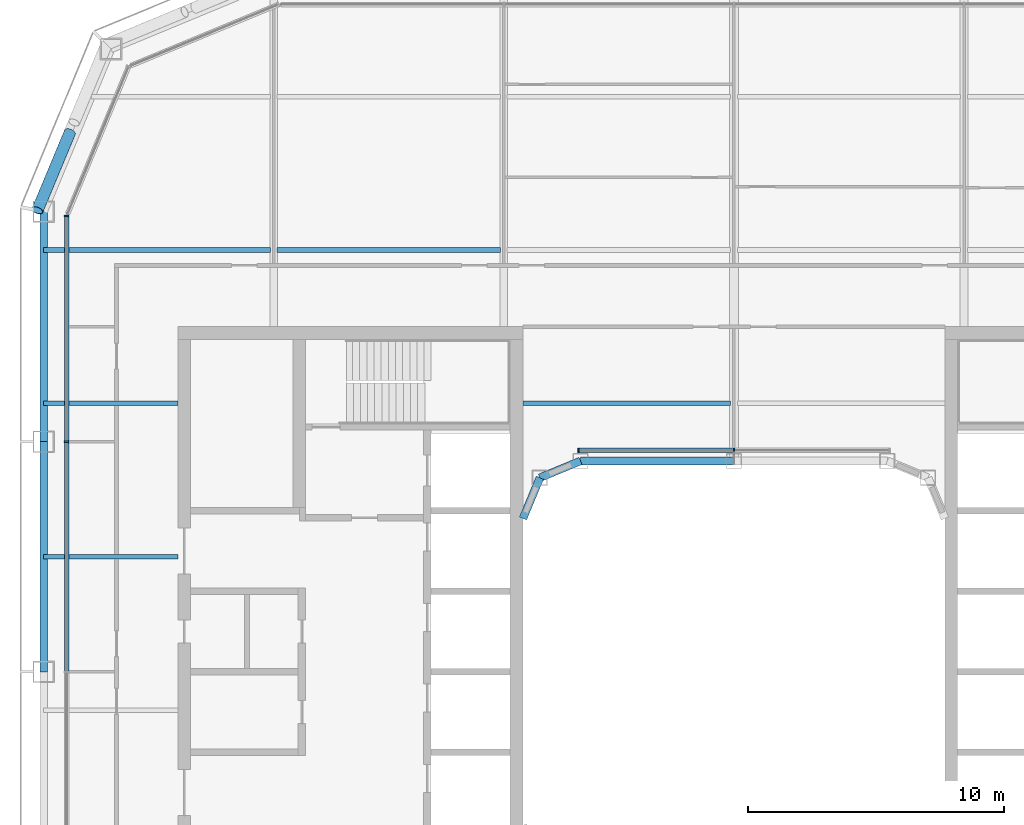
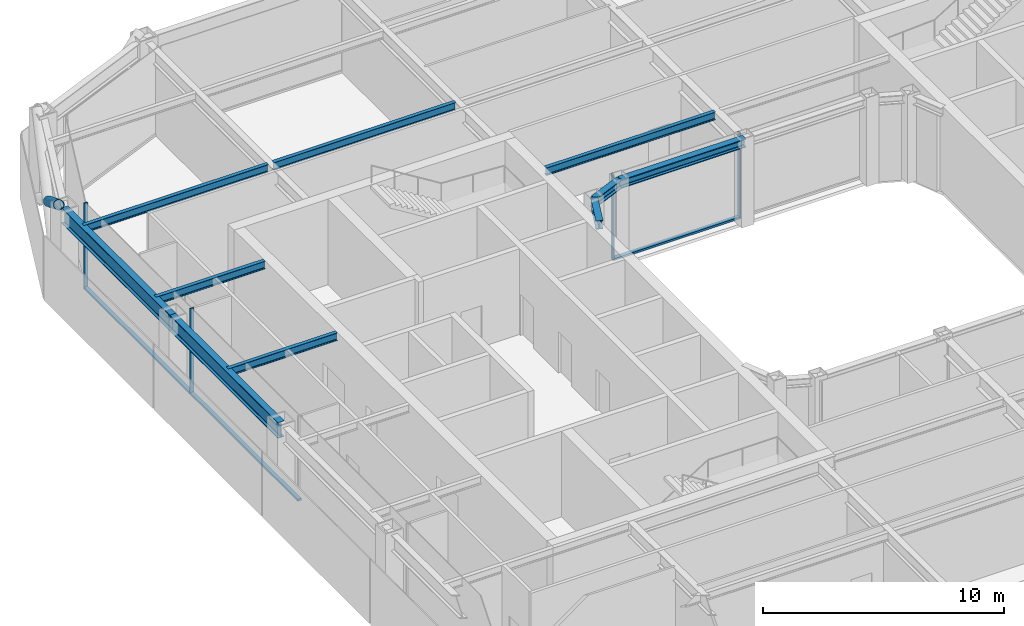
# One storey, part 6 of 23: 10 beams, 8 members, 2 elements without a shape of their own.
"""IFC4 building model written with IfcOpenShell, lengths in metres."""

from ifc_helpers import new_model, si_unit, direction, frame, origin, origin_2d, place, context, subcontext, project, spatial, rectangle, hollow_circle, i_section, extrude, material, layer, layer_set, material_profile, profile_set, type_object, element, aggregate, save


model = new_model("IFC4")

# Units and contexts
model_context = context("Model", 3, precision=1e-05, world=origin(), true_north=direction((0.0, 1.0)))
body_context = subcontext(model_context, "Body", "Model", "MODEL_VIEW")
ifc_project = project(units=[si_unit("LENGTHUNIT", "METRE"), si_unit("AREAUNIT", "SQUARE_METRE"), si_unit("VOLUMEUNIT", "CUBIC_METRE"), si_unit("PLANEANGLEUNIT", "RADIAN"), si_unit("MASSUNIT", "GRAM", prefix="KILO")], contexts=[model_context])

# Site, building, storey
site_placement = place(None, origin())
site = spatial("IfcSite", under=ifc_project, at=site_placement, CompositionType="ELEMENT")
building_placement = place(site_placement, origin())
building = spatial("IfcBuilding", under=site, at=building_placement, Name="Siwar Civic Tower", CompositionType="ELEMENT")
storey_placement = place(building_placement, frame((0.0, 0.0, 206.199951171875)))
storey = spatial("IfcBuildingStorey", under=building, at=storey_placement, Name="L44", CompositionType="ELEMENT", Elevation=206.199951171875)

# Curtain wall, members
ifc_material_1 = material(Name="Aluminium and glass", Category="aluminium")
ifc_layer_1 = layer(ifc_material_1, 0.179931640625)
ifc_layer_set_1 = layer_set([ifc_layer_1], Name="Aluminium and glass")
curtain_wall_type_1 = type_object("IfcCurtainWallType", Name="ENV-CW-C", PredefinedType="NOTDEFINED", material=ifc_layer_set_1)
curtain_wall_1_placement = place(storey_placement, origin())
curtain_wall_1 = element("IfcCurtainWall", 1, at=curtain_wall_1_placement, inside=storey, type_object=curtain_wall_type_1, Name="Curtain wall C W", PredefinedType="NOTDEFINED")
ifc_material_2 = material(Name="Aluminium 6063-T6", Category="aluminium")
ifc_material_profile_1 = material_profile(ifc_material_2, rectangle(XDim=0.179931640625, YDim=0.06005859375, at=origin_2d()), Name="AL 180x60")
ifc_profile_set_1 = profile_set([ifc_material_profile_1], Name="Aluminium 6063-T6")
member_type_1 = type_object("IfcMemberType", Name="ENV-MULLION-C", PredefinedType="MULLION", material=ifc_profile_set_1)
member_1_placement = place(storey_placement, frame((-26.10009765625, 17.821044921875, 0.0), z_axis=(0.0, 0.0, 1.0), x_axis=(1.0, 0.0, 0.0)))
member_1 = element("IfcMember", 2, at=member_1_placement, type_object=member_type_1, Name="Mullion C W 1", PredefinedType="MULLION", context=body_context, shape_type="SweptSolid", body=[
    extrude(rectangle(XDim=0.179931640625, YDim=0.06005859375, at=origin_2d()), origin(), (0.0, 0.0, 1.0), 4.35009765625),
])
member_2_placement = place(storey_placement, frame((-26.10009765625, 9.0, 0.0), z_axis=(0.0, 0.0, 1.0), x_axis=(1.0, 0.0, 0.0)))
member_2 = element("IfcMember", 3, at=member_2_placement, type_object=member_type_1, Name="Mullion C W 2", PredefinedType="MULLION", context=body_context, shape_type="SweptSolid", body=[
    extrude(rectangle(XDim=0.179931640625, YDim=0.06005859375, at=origin_2d()), origin(), (0.0, 0.0, 1.0), 4.35009765625),
])

ifc_material_3 = material(Name="Aluminium and glass", Category="aluminium")
ifc_layer_2 = layer(ifc_material_3, 0.179931640625)
ifc_layer_set_2 = layer_set([ifc_layer_2], Name="Aluminium and glass")
curtain_wall_type_2 = type_object("IfcCurtainWallType", Name="ENV-CW-W", PredefinedType="NOTDEFINED", material=ifc_layer_set_2)
curtain_wall_2_placement = place(storey_placement, origin())
curtain_wall_2 = element("IfcCurtainWall", 4, at=curtain_wall_2_placement, inside=storey, type_object=curtain_wall_type_2, Name="Curtain wall W WN", PredefinedType="NOTDEFINED")
ifc_material_4 = material(Name="Aluminium 6063-T6", Category="aluminium")
ifc_material_profile_2 = material_profile(ifc_material_4, rectangle(XDim=0.179931640625, YDim=0.06005859375, at=origin_2d()), Name="AL 180x60")
ifc_profile_set_2 = profile_set([ifc_material_profile_2], Name="Aluminium 6063-T6")
member_type_2 = type_object("IfcMemberType", Name="ENV-MULLION-W", PredefinedType="MULLION", material=ifc_profile_set_2)
member_3_placement = place(storey_placement, frame((0.0, 8.659912109375, 0.0), z_axis=(0.0, 0.0, 1.0), x_axis=(0.0, -1.0, 0.0)))
member_3 = element("IfcMember", 5, at=member_3_placement, type_object=member_type_2, Name="Mullion W WN 2", PredefinedType="MULLION", context=body_context, shape_type="SweptSolid", body=[
    extrude(rectangle(XDim=0.179931640625, YDim=0.06005859375, at=origin_2d()), origin(), (0.0, 0.0, 1.0), 4.35009765625),
])
member_4_placement = place(storey_placement, frame((-6.08154296875, 8.659912109375, 0.0), z_axis=(0.0, 0.0, 1.0), x_axis=(0.0, -1.0, 0.0)))
member_4 = element("IfcMember", 6, at=member_4_placement, type_object=member_type_2, Name="Mullion W WN 3", PredefinedType="MULLION", context=body_context, shape_type="SweptSolid", body=[
    extrude(rectangle(XDim=0.179931640625, YDim=0.06005859375, at=origin_2d()), origin(), (0.0, 0.0, 1.0), 4.35009765625),
])

# Member
ifc_material_5 = material(Name="Aluminium 6063-T6", Category="aluminium")
ifc_material_profile_3 = material_profile(ifc_material_5, rectangle(XDim=0.179931640625, YDim=0.10009765625, at=origin_2d()), Name="AL 180x100")
ifc_profile_set_3 = profile_set([ifc_material_profile_3], Name="Aluminium 6063-T6")
member_type_3 = type_object("IfcMemberType", Name="ENV-TRANSOM-C", PredefinedType="USERDEFINED", material=ifc_profile_set_3)
member_5_placement = place(storey_placement, frame((-26.10009765625, 17.791015625, 0.050048828125), z_axis=(0.0, -1.0, 0.0), x_axis=(1.0, 0.0, 0.0)))
member_5 = element("IfcMember", 7, at=member_5_placement, type_object=member_type_3, Name="Transom C W 1", ObjectType="TRANSOM", PredefinedType="USERDEFINED", context=body_context, shape_type="SweptSolid", body=[
    extrude(rectangle(XDim=0.179931640625, YDim=0.10009765625, at=origin_2d()), origin(), (0.0, 0.0, 1.0), 8.760986328125),
])

member_6_placement = place(storey_placement, frame((-26.10009765625, 8.969970703125, 0.050048828125), z_axis=(0.0, -1.0, 0.0), x_axis=(1.0, 0.0, 0.0)))
member_6 = element("IfcMember", 8, at=member_6_placement, type_object=member_type_3, Name="Transom C W 2", ObjectType="TRANSOM", PredefinedType="USERDEFINED", context=body_context, shape_type="SweptSolid", body=[
    extrude(rectangle(XDim=0.179931640625, YDim=0.10009765625, at=origin_2d()), origin(), (0.0, 0.0, 1.0), 8.93994140625),
])

aggregate(curtain_wall_1, [member_1, member_2, member_5, member_6])

ifc_material_6 = material(Name="Aluminium 6063-T6", Category="aluminium")
ifc_material_profile_4 = material_profile(ifc_material_6, rectangle(XDim=0.179931640625, YDim=0.10009765625, at=origin_2d()), Name="AL 180x100")
ifc_profile_set_4 = profile_set([ifc_material_profile_4], Name="Aluminium 6063-T6")
member_type_4 = type_object("IfcMemberType", Name="ENV-TRANSOM-W", PredefinedType="USERDEFINED", material=ifc_profile_set_4)
member_7_placement = place(storey_placement, frame((-0.030029296875, 8.659912109375, 0.050048828125), z_axis=(-1.0, 0.0, 0.0), x_axis=(0.0, -1.0, 0.0)))
member_7 = element("IfcMember", 9, at=member_7_placement, type_object=member_type_4, Name="Transom W WN 2", ObjectType="TRANSOM", PredefinedType="USERDEFINED", context=body_context, shape_type="SweptSolid", body=[
    extrude(rectangle(XDim=0.179931640625, YDim=0.10009765625, at=origin_2d()), origin(), (0.0, 0.0, 1.0), 6.021484375),
])

aggregate(curtain_wall_2, [member_3, member_4, member_7])

ifc_material_7 = material(Name="Steel S355", Category="steel")
ifc_material_profile_5 = material_profile(ifc_material_7, hollow_circle(Radius=0.228515625, WallThickness=0.02001953125, at=origin_2d()), Name="CHS457x20")
ifc_profile_set_5 = profile_set([ifc_material_profile_5], Name="Steel S355")
member_type_5 = type_object("IfcMemberType", Name="STR-BR-CHS457x20", PredefinedType="BRACE", material=ifc_profile_set_5)
member_8_placement = place(storey_placement, frame((-25.972900390625, 21.10302734375, 2.383056640625), z_axis=(-0.323895306243, -0.777572496853, 0.538955325357), x_axis=(0.92311621485, -0.38452107079, 0.0)))
element("IfcMember", 10, at=member_8_placement, inside=storey, type_object=member_type_5, Name="L44/brc/CNW1-4-0-3", PredefinedType="BRACE", context=body_context, shape_type="SweptSolid", body=[
    extrude(hollow_circle(Radius=0.228515625, WallThickness=0.02001953125, at=origin_2d()), origin(), (0.0, 0.0, 1.0), 3.927978515625),
])

# Beams
ifc_material_8 = material(Name="Steel S355", Category="steel")
ifc_material_profile_6 = material_profile(ifc_material_8, i_section(OverallWidth=0.179931640625, OverallDepth=0.39990234375, WebThickness=0.008544921875, FlangeThickness=0.013427734375, FilletRadius=0.02099609375, at=origin_2d()), Name="IPE400")
ifc_profile_set_6 = profile_set([ifc_material_profile_6], Name="Steel S355")
beam_type_1 = type_object("IfcBeamType", Name="STR-FB-IPE400", PredefinedType="JOIST", material=ifc_profile_set_6)
for number, where, z_axis, x_axis, name in (
    (11, (-27.0, 4.5, 4.150146484375), (1.0, 0.0, 0.0), (0.0, 1.0, 0.0), "L44/bm/F025"),
    (12, (-27.0, 10.5, 4.150146484375), (1.0, 0.0, 0.0), (0.0, 1.0, 0.0), "L44/bm/F027"),
):
    element("IfcBeam", number, at=place(storey_placement, frame(where, z_axis=z_axis, x_axis=x_axis)), inside=storey, type_object=beam_type_1, Name=name, PredefinedType="JOIST", context=body_context, shape_type="SweptSolid", body=[
        extrude(i_section(OverallWidth=0.179931640625, OverallDepth=0.39990234375, WebThickness=0.008544921875, FlangeThickness=0.013427734375, FilletRadius=0.02099609375, at=origin_2d()), origin(), (0.0, 0.0, 1.0), 5.25),
    ])
beam_1_placement = place(storey_placement, frame((-8.25, 10.5, 4.150146484375), z_axis=(1.0, 0.0, 0.0), x_axis=(0.0, 1.0, 0.0)))
element("IfcBeam", 13, at=beam_1_placement, inside=storey, type_object=beam_type_1, Name="L44/bm/F028", PredefinedType="JOIST", context=body_context, shape_type="SweptSolid", body=[
    extrude(i_section(OverallWidth=0.179931640625, OverallDepth=0.39990234375, WebThickness=0.008544921875, FlangeThickness=0.013427734375, FilletRadius=0.02099609375, at=origin_2d()), origin(), (0.0, 0.0, 1.0), 8.1201171875),
])
beam_2_placement = place(storey_placement, frame((-27.0, 16.5, 4.150146484375), z_axis=(1.0, 0.0, 0.0), x_axis=(0.0, 1.0, 0.0)))
element("IfcBeam", 14, at=beam_2_placement, inside=storey, type_object=beam_type_1, Name="L44/bm/F031", PredefinedType="JOIST", context=body_context, shape_type="SweptSolid", body=[
    extrude(i_section(OverallWidth=0.179931640625, OverallDepth=0.39990234375, WebThickness=0.008544921875, FlangeThickness=0.013427734375, FilletRadius=0.02099609375, at=origin_2d()), origin(), (0.0, 0.0, 1.0), 8.8701171875),
])
beam_3_placement = place(storey_placement, frame((-17.8701171875, 16.5, 4.150146484375), z_axis=(1.0, 0.0, 0.0), x_axis=(0.0, 1.0, 0.0)))
element("IfcBeam", 15, at=beam_3_placement, inside=storey, type_object=beam_type_1, Name="L44/bm/F032", PredefinedType="JOIST", context=body_context, shape_type="SweptSolid", body=[
    extrude(i_section(OverallWidth=0.179931640625, OverallDepth=0.39990234375, WebThickness=0.008544921875, FlangeThickness=0.013427734375, FilletRadius=0.02099609375, at=origin_2d()), origin(), (0.0, 0.0, 1.0), 8.740234375),
])
ifc_material_9 = material(Name="Steel S355", Category="steel")
ifc_material_profile_7 = material_profile(ifc_material_9, i_section(OverallWidth=0.306884765625, OverallDepth=0.431884765625, WebThickness=0.02099609375, FlangeThickness=0.0400390625, FilletRadius=0.027099609375, at=origin_2d()), Name="HEM400")
ifc_profile_set_7 = profile_set([ifc_material_profile_7], Name="Steel S355")
beam_type_2 = type_object("IfcBeamType", Name="STR-RB-HEM400", PredefinedType="BEAM", material=ifc_profile_set_7)
beam_4_placement = place(storey_placement, frame((-7.591064453125, 7.591064453125, 4.134033203125), z_axis=(0.923901072997, 0.382631424892, 0.0), x_axis=(-0.382631424892, 0.923901072997, 0.0)))
element("IfcBeam", 16, at=beam_4_placement, inside=storey, type_object=beam_type_2, Name="L44/bm/RN0", PredefinedType="BEAM", context=body_context, shape_type="SweptSolid", body=[
    extrude(i_section(OverallWidth=0.306884765625, OverallDepth=0.431884765625, WebThickness=0.02099609375, FlangeThickness=0.0400390625, FilletRadius=0.027099609375, at=origin_2d()), origin(), (0.0, 0.0, 1.0), 1.72216796875),
])
beam_5_placement = place(storey_placement, frame((-6.0, 8.25, 4.134033203125), z_axis=(1.0, 0.0, 0.0), x_axis=(0.0, 1.0, 0.0)))
element("IfcBeam", 17, at=beam_5_placement, inside=storey, type_object=beam_type_2, Name="L44/bm/RN1", PredefinedType="BEAM", context=body_context, shape_type="SweptSolid", body=[
    extrude(i_section(OverallWidth=0.306884765625, OverallDepth=0.431884765625, WebThickness=0.02099609375, FlangeThickness=0.0400390625, FilletRadius=0.027099609375, at=origin_2d()), origin(), (0.0, 0.0, 1.0), 6.0),
])
beam_6_placement = place(storey_placement, frame((-7.591064453125, 7.591064453125, 4.134033203125), z_axis=(-0.382631424892, -0.923901072997, 0.0), x_axis=(0.923901072997, -0.382631424892, 0.0)))
element("IfcBeam", 18, at=beam_6_placement, inside=storey, type_object=beam_type_2, Name="L44/bm/RNEW", PredefinedType="BEAM", context=body_context, shape_type="SweptSolid", body=[
    extrude(i_section(OverallWidth=0.306884765625, OverallDepth=0.431884765625, WebThickness=0.02099609375, FlangeThickness=0.0400390625, FilletRadius=0.027099609375, at=origin_2d()), origin(), (0.0, 0.0, 1.0), 1.72216796875),
])
ifc_material_10 = material(Name="Steel S355", Category="steel")
ifc_material_profile_8 = material_profile(ifc_material_10, i_section(OverallWidth=0.300048828125, OverallDepth=0.800048828125, WebThickness=0.017578125, FlangeThickness=0.032958984375, FilletRadius=0.030029296875, at=origin_2d()), Name="HEB800")
ifc_profile_set_8 = profile_set([ifc_material_profile_8], Name="Steel S355")
beam_type_3 = type_object("IfcBeamType", Name="STR-SB-HEB800", PredefinedType="BEAM", material=ifc_profile_set_8)
for number, where, z_axis, x_axis, name in (
    (19, (-27.0, 18.0, 3.949951171875), (0.0, -1.0, 0.0), (1.0, 0.0, 0.0), "L44/bm/SW-0"),
    (20, (-27.0, 9.0, 3.949951171875), (0.0, -1.0, 0.0), (1.0, 0.0, 0.0), "L44/bm/SW-1"),
):
    element("IfcBeam", number, at=place(storey_placement, frame(where, z_axis=z_axis, x_axis=x_axis)), inside=storey, type_object=beam_type_3, Name=name, PredefinedType="BEAM", context=body_context, shape_type="SweptSolid", body=[
        extrude(i_section(OverallWidth=0.300048828125, OverallDepth=0.800048828125, WebThickness=0.017578125, FlangeThickness=0.032958984375, FilletRadius=0.030029296875, at=origin_2d()), origin(), (0.0, 0.0, 1.0), 9.0),
    ])

save(model, "model.ifc")
